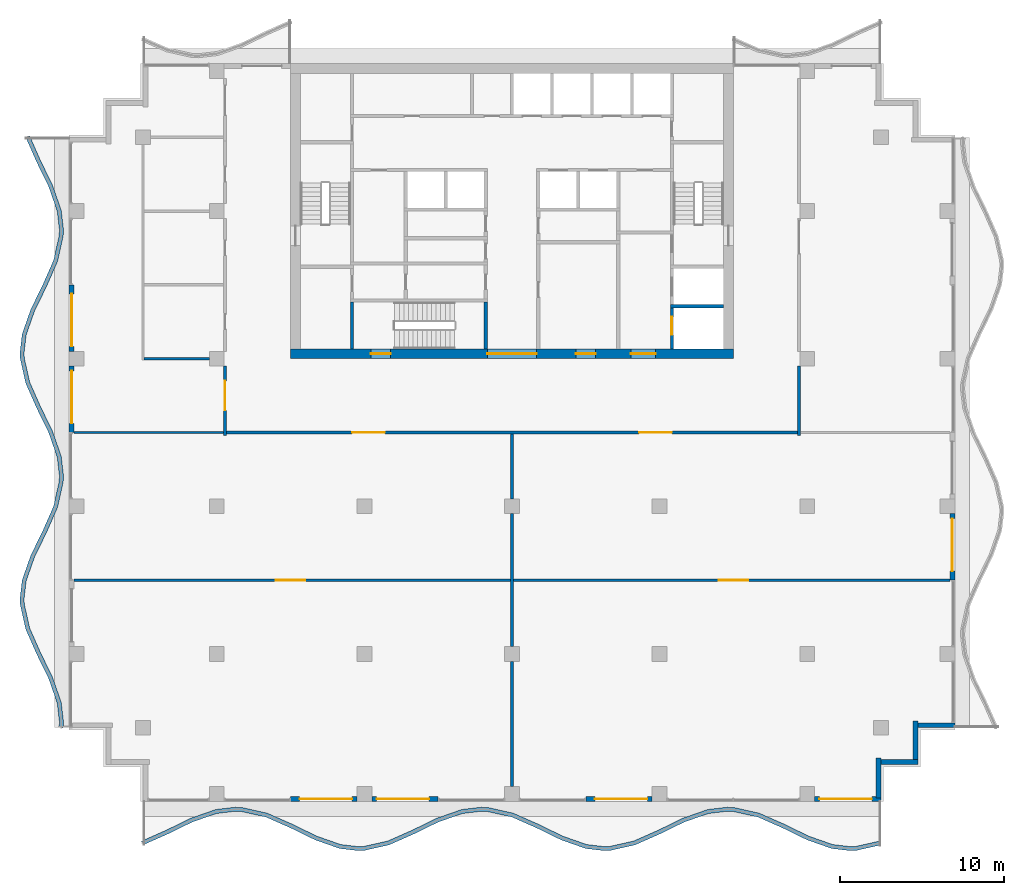
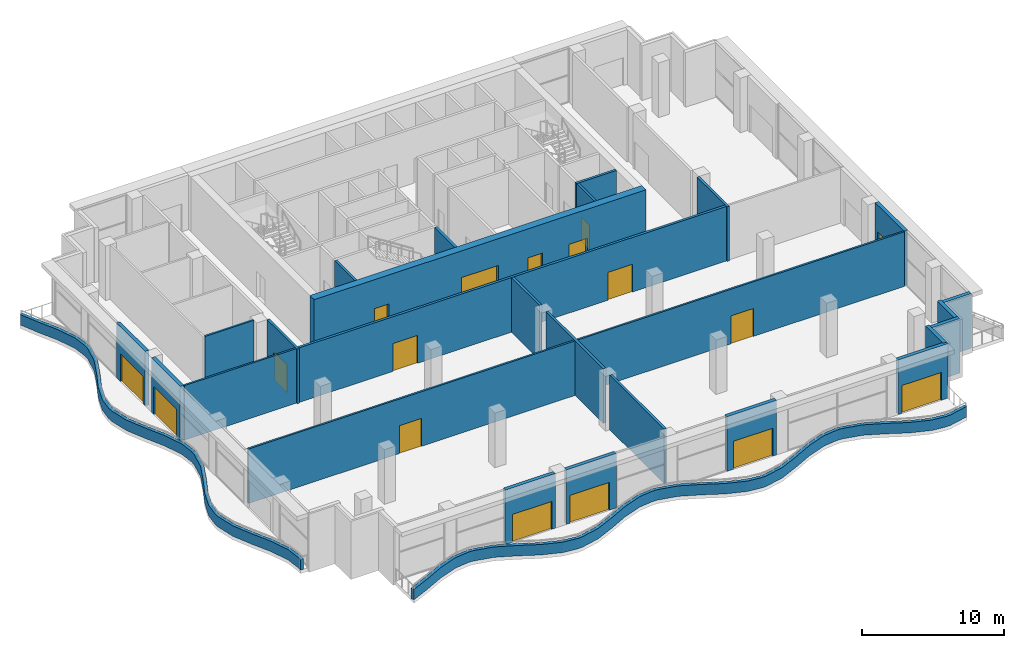
# One storey, part 7 of 14: 28 walls, 17 doors, 17 openings.
"""IFC4 building model written with IfcOpenShell, lengths in metres."""

from ifc_helpers import new_model, si_unit, direction, frame, frame_2d, origin, place, context, subcontext, project, spatial, polyline, rectangle, outline, extrude, material, layer, layer_set, type_object, element, fill, save


model = new_model("IFC4")

# Units and contexts
model_context = context("Model", 3, precision=1e-05, world=origin(), true_north=direction((0.0, 1.0)))
body_context = subcontext(model_context, "Body", "Model", "MODEL_VIEW")
ifc_project = project(units=[si_unit("LENGTHUNIT", "METRE"), si_unit("AREAUNIT", "SQUARE_METRE"), si_unit("VOLUMEUNIT", "CUBIC_METRE"), si_unit("PLANEANGLEUNIT", "RADIAN"), si_unit("MASSUNIT", "GRAM", prefix="KILO")], contexts=[model_context])

# Site, building, storey
site_placement = place(None, origin())
site = spatial("IfcSite", under=ifc_project, at=site_placement, CompositionType="ELEMENT")
building_placement = place(site_placement, origin())
building = spatial("IfcBuilding", under=site, at=building_placement, Name="Orbiselva Terraces", CompositionType="ELEMENT")
storey_placement = place(building_placement, frame((0.0, 0.0, 284.4)))
storey = spatial("IfcBuildingStorey", under=building, at=storey_placement, Name="L72", CompositionType="ELEMENT", Elevation=284.4)

# Wall, openings, doors
ifc_material_1 = material(Name="Concrete C80/95", Category="concrete")
ifc_layer_1 = layer(ifc_material_1, 0.6)
ifc_layer_set_1 = layer_set([ifc_layer_1], Name="Concrete C80/95")
wall_type_1 = type_object("IfcWallType", Name="CORE WALL 600", PredefinedType="SHEAR", material=ifc_layer_set_1)
wall_1_placement = place(storey_placement, frame((-13.5, 4.8, -0.3), z_axis=(0.0, 0.0, 1.0), x_axis=(1.0, 0.0, 0.0)))
wall_1 = element("IfcWall", 1, at=wall_1_placement, inside=storey, type_object=wall_type_1, Name="Core wall L72 south", PredefinedType="SHEAR", context=body_context, shape_type="SweptSolid", body=[
    extrude(rectangle(XDim=27.0, YDim=0.6, at=frame_2d((13.5, 0.0))), origin(), (0.0, 0.0, 1.0), 5.0),
])
opening_1_placement = place(wall_1_placement, frame((12.0, 0.0, 0.3)))
opening_1 = element("IfcOpeningElement", 2, at=opening_1_placement, cuts=wall_1, Name="Opening DL3000", PredefinedType="OPENING", context=body_context, shape_type="SweptSolid", body=[
    extrude(rectangle(XDim=3.0, YDim=2.4, at=frame_2d((1.5, 1.2))), frame((0.0, 0.31, 0.0), z_axis=(0.0, -1.0, 0.0), x_axis=(1.0, 0.0, 0.0)), (0.0, 0.0, 1.0), 0.62),
])
opening_2_placement = place(wall_1_placement, frame((4.9, 0.0, 0.3)))
opening_2 = element("IfcOpeningElement", 3, at=opening_2_placement, cuts=wall_1, Name="Opening DS1200", PredefinedType="OPENING", context=body_context, shape_type="SweptSolid", body=[
    extrude(rectangle(XDim=1.2, YDim=2.2, at=frame_2d((0.6, 1.1))), frame((0.0, 0.31, 0.0), z_axis=(0.0, -1.0, 0.0), x_axis=(1.0, 0.0, 0.0)), (0.0, 0.0, 1.0), 0.62),
])
opening_3_placement = place(wall_1_placement, frame((20.75, 0.0, 0.3)))
opening_3 = element("IfcOpeningElement", 4, at=opening_3_placement, cuts=wall_1, Name="Opening DF1500", PredefinedType="OPENING", context=body_context, shape_type="SweptSolid", body=[
    extrude(rectangle(XDim=1.5, YDim=2.2, at=frame_2d((0.75, 1.1))), frame((0.0, 0.31, 0.0), z_axis=(0.0, -1.0, 0.0), x_axis=(1.0, 0.0, 0.0)), (0.0, 0.0, 1.0), 0.62),
])
opening_4_placement = place(wall_1_placement, frame((17.4, 0.0, 0.3)))
opening_4 = element("IfcOpeningElement", 5, at=opening_4_placement, cuts=wall_1, Name="Opening DV1200", PredefinedType="OPENING", context=body_context, shape_type="SweptSolid", body=[
    extrude(rectangle(XDim=1.2, YDim=2.2, at=frame_2d((0.6, 1.1))), frame((0.0, 0.31, 0.0), z_axis=(0.0, -1.0, 0.0), x_axis=(1.0, 0.0, 0.0)), (0.0, 0.0, 1.0), 0.62),
])
ifc_material_2 = material(Name="Steel fire door", Category="steel")
door_type_1 = type_object("IfcDoorType", Name="FFL DOOR 1500", OperationType="DOUBLE_DOOR_SINGLE_SWING", PredefinedType="DOOR", material=ifc_material_2)
door_1_placement = place(opening_3_placement, frame((1.5, 0.0, 0.0), z_axis=(0.0, 0.0, 1.0), x_axis=(-1.0, 0.0, 0.0)))
door_1 = element("IfcDoor", 6, at=door_1_placement, inside=storey, type_object=door_type_1, Name="L72 FIRE-FIGHTING LOBBY door", OperationType="DOUBLE_DOOR_SINGLE_SWING", OverallHeight=2.2, OverallWidth=1.5, PredefinedType="DOOR", context=body_context, shape_type="SweptSolid", body=[
    extrude(rectangle(XDim=1.5, YDim=2.2, at=frame_2d((0.75, 1.1))), frame((0.0, 0.025, 0.0), z_axis=(0.0, -1.0, 0.0), x_axis=(1.0, 0.0, 0.0)), (0.0, 0.0, 1.0), 0.05),
])
fill(opening_3, door_1)
door_type_2 = type_object("IfcDoorType", Name="LOBBY DOOR 3000", OperationType="DOUBLE_DOOR_SINGLE_SWING", PredefinedType="DOOR", material=ifc_material_2)
door_2_placement = place(opening_1_placement, frame((3.0, 0.0, 0.0), z_axis=(0.0, 0.0, 1.0), x_axis=(-1.0, 0.0, 0.0)))
door_2 = element("IfcDoor", 7, at=door_2_placement, inside=storey, type_object=door_type_2, Name="L72 LIFT LOBBY door", OperationType="DOUBLE_DOOR_SINGLE_SWING", OverallHeight=2.4, OverallWidth=3.0, PredefinedType="DOOR", context=body_context, shape_type="SweptSolid", body=[
    extrude(rectangle(XDim=3.0, YDim=2.4, at=frame_2d((1.5, 1.2))), frame((0.0, 0.025, 0.0), z_axis=(0.0, -1.0, 0.0), x_axis=(1.0, 0.0, 0.0)), (0.0, 0.0, 1.0), 0.05),
])
fill(opening_1, door_2)
door_type_3 = type_object("IfcDoorType", Name="SERVICE DOOR 1200", OperationType="NOTDEFINED", PredefinedType="DOOR", material=ifc_material_2)
door_3_placement = place(opening_4_placement, frame((1.2, 0.0, 0.0), z_axis=(0.0, 0.0, 1.0), x_axis=(-1.0, 0.0, 0.0)))
door_3 = element("IfcDoor", 8, at=door_3_placement, inside=storey, type_object=door_type_3, Name="L72 SERVICE ROOM door", OperationType="SINGLE_SWING_RIGHT", OverallHeight=2.2, OverallWidth=1.2, PredefinedType="DOOR", context=body_context, shape_type="SweptSolid", body=[
    extrude(rectangle(XDim=1.2, YDim=2.2, at=frame_2d((0.6, 1.1))), frame((0.0, 0.025, 0.0), z_axis=(0.0, -1.0, 0.0), x_axis=(1.0, 0.0, 0.0)), (0.0, 0.0, 1.0), 0.05),
])
fill(opening_4, door_3)
door_type_4 = type_object("IfcDoorType", Name="STAIR DOOR 1200", OperationType="NOTDEFINED", PredefinedType="DOOR", material=ifc_material_2)
door_4_placement = place(opening_2_placement, frame((1.2, 0.0, 0.0), z_axis=(0.0, 0.0, 1.0), x_axis=(-1.0, 0.0, 0.0)))
door_4 = element("IfcDoor", 9, at=door_4_placement, inside=storey, type_object=door_type_4, Name="L72 EXIT STAIR S3 door", OperationType="SINGLE_SWING_LEFT", OverallHeight=2.2, OverallWidth=1.2, PredefinedType="DOOR", context=body_context, shape_type="SweptSolid", body=[
    extrude(rectangle(XDim=1.2, YDim=2.2, at=frame_2d((0.6, 1.1))), frame((0.0, 0.025, 0.0), z_axis=(0.0, -1.0, 0.0), x_axis=(1.0, 0.0, 0.0)), (0.0, 0.0, 1.0), 0.05),
])
fill(opening_2, door_4)

# Walls
ifc_material_3 = material(Name="Concrete C60/75", Category="concrete")
ifc_layer_2 = layer(ifc_material_3, 0.2)
ifc_layer_set_2 = layer_set([ifc_layer_2], Name="Concrete C60/75")
wall_type_2 = type_object("IfcWallType", Name="CORE-WALL-SHEAR-200", PredefinedType="SHEAR", material=ifc_layer_set_2)
for number, where, z_axis, x_axis, name in (
    (10, (-9.75, 5.1, 0.0), (0.0, 0.0, 1.0), (0.0, 1.0, 0.0), "L72 core wall 03"),
    (11, (-1.6, 5.1, 0.0), (0.0, 0.0, 1.0), (0.0, 1.0, 0.0), "L72 core wall 21"),
):
    element("IfcWall", number, at=place(storey_placement, frame(where, z_axis=z_axis, x_axis=x_axis)), inside=storey, type_object=wall_type_2, Name=name, PredefinedType="SHEAR", context=body_context, shape_type="SweptSolid", body=[
        extrude(rectangle(XDim=2.85, YDim=0.2, at=frame_2d((1.425, 0.0))), origin(), (0.0, 0.0, 1.0), 4.7),
    ])

# Wall, opening, door
wall_2_placement = place(storey_placement, frame((9.75, 5.1, 0.0), z_axis=(0.0, 0.0, 1.0), x_axis=(0.0, 1.0, 0.0)))
wall_2 = element("IfcWall", 12, at=wall_2_placement, inside=storey, type_object=wall_type_2, Name="L72 core wall 42", PredefinedType="SHEAR", context=body_context, shape_type="SweptSolid", body=[
    extrude(rectangle(XDim=2.5, YDim=0.2, at=frame_2d((1.25, 0.0))), origin(), (0.0, 0.0, 1.0), 4.7),
])
opening_5_placement = place(wall_2_placement, frame((0.85, 0.0, 0.0)))
opening_5 = element("IfcOpeningElement", 13, at=opening_5_placement, cuts=wall_2, Name="Opening LD-FF1", PredefinedType="OPENING", context=body_context, shape_type="SweptSolid", body=[
    extrude(rectangle(XDim=1.1, YDim=2.1, at=frame_2d((0.55, 1.05))), frame((0.0, 0.11, 0.0), z_axis=(0.0, -1.0, 0.0), x_axis=(1.0, 0.0, 0.0)), (0.0, 0.0, 1.0), 0.22),
])
ifc_material_4 = material(Name="Stainless steel landing door", Category="steel")
door_type_5 = type_object("IfcDoorType", Name="LANDING DOOR 1100", OperationType="SLIDING_TO_LEFT", PredefinedType="DOOR", material=ifc_material_4)
door_5_placement = place(opening_5_placement, origin())
door_5 = element("IfcDoor", 14, at=door_5_placement, inside=storey, type_object=door_type_5, Name="L72 landing door FF1", OperationType="SLIDING_TO_RIGHT", OverallHeight=2.1, OverallWidth=1.1, PredefinedType="DOOR", context=body_context, shape_type="SweptSolid", body=[
    extrude(rectangle(XDim=1.1, YDim=2.1, at=frame_2d((0.55, 1.05))), frame((0.0, 0.025, 0.0), z_axis=(0.0, -1.0, 0.0), x_axis=(1.0, 0.0, 0.0)), (0.0, 0.0, 1.0), 0.05),
])
fill(opening_5, door_5)

# Walls
wall_3_placement = place(storey_placement, frame((9.65, 7.7, 0.0), z_axis=(0.0, 0.0, 1.0), x_axis=(1.0, 0.0, 0.0)))
element("IfcWall", 15, at=wall_3_placement, inside=storey, type_object=wall_type_2, Name="L72 core wall 43", PredefinedType="SHEAR", context=body_context, shape_type="SweptSolid", body=[
    extrude(rectangle(XDim=3.25, YDim=0.2, at=frame_2d((1.625, 0.0))), origin(), (0.0, 0.0, 1.0), 4.7),
])
ifc_material_5 = material(Name="Concrete C40/50", Category="concrete")
ifc_layer_3 = layer(ifc_material_5, 0.25)
ifc_layer_set_3 = layer_set([ifc_layer_3], Name="Concrete C40/50")
wall_type_3 = type_object("IfcWallType", Name="ENV-PLANTER-250x900", PredefinedType="USERDEFINED", material=ifc_layer_set_3)
wall_4_placement = place(storey_placement, origin())
element("IfcWall", 16, at=wall_4_placement, inside=storey, type_object=wall_type_3, Name="Balcony planter L72 S", ObjectType="PLANTER", PredefinedType="USERDEFINED", context=body_context, shape_type="SweptSolid", body=[
    extrude(outline(polyline([(-22.5, -25.148528), (-21.0, -24.487721), (-19.5, -23.755211), (-18.0, -23.230792), (-16.875, -23.1), (-16.5, -23.114774), (-15.0, -23.451472), (-13.5, -24.112279), (-12.0, -24.844789), (-10.5, -25.369208), (-9.375, -25.5), (-9.0, -25.485226), (-7.5, -25.148528), (-6.0, -24.487721), (-4.5, -23.755211), (-3.0, -23.230792), (-1.875, -23.1), (-1.5, -23.114774), (0.0, -23.451472), (1.5, -24.112279), (3.0, -24.844789), (4.5, -25.369208), (5.625, -25.5), (6.0, -25.485226), (7.5, -25.148528), (9.0, -24.487721), (10.5, -23.755211), (12.0, -23.230792), (13.125, -23.1), (13.5, -23.114774), (15.0, -23.451472), (16.5, -24.112279), (18.0, -24.844789), (19.5, -25.369208), (20.625, -25.5), (21.0, -25.485226), (22.5, -25.148528), (22.445246, -24.904598), (20.967435, -25.236315), (20.634572, -25.249429), (19.556371, -25.124078), (18.09644, -24.613667), (16.605286, -23.885477), (15.078508, -23.212874), (13.532565, -22.865863), (13.115428, -22.849429), (11.943629, -22.985662), (10.40356, -23.524089), (8.894714, -24.260919), (7.421492, -24.90993), (5.967435, -25.236315), (5.634572, -25.249429), (4.556371, -25.124078), (3.09644, -24.613667), (1.605286, -23.885477), (0.078508, -23.212874), (-1.467435, -22.865863), (-1.884572, -22.849429), (-3.056371, -22.985662), (-4.59644, -23.524089), (-6.105286, -24.260919), (-7.578508, -24.90993), (-9.032565, -25.236315), (-9.365428, -25.249429), (-10.443629, -25.124078), (-11.90356, -24.613667), (-13.394714, -23.885477), (-14.921492, -23.212874), (-16.467435, -22.865863), (-16.884572, -22.849429), (-18.056371, -22.985662), (-19.59644, -23.524089), (-21.105286, -24.260919), (-22.600788, -24.919745), (-22.5, -25.148528)])), origin(), (0.0, 0.0, 1.0), 0.9),
])
wall_5_placement = place(storey_placement, origin())
element("IfcWall", 17, at=wall_5_placement, inside=storey, type_object=wall_type_3, Name="Balcony planter L72 W", ObjectType="PLANTER", PredefinedType="USERDEFINED", context=body_context, shape_type="SweptSolid", body=[
    extrude(outline(polyline([(-29.648528, 18.0), (-28.987721, 16.5), (-28.255211, 15.0), (-27.730792, 13.5), (-27.6, 12.375), (-27.614774, 12.0), (-27.951472, 10.5), (-28.612279, 9.0), (-29.344789, 7.5), (-29.869208, 6.0), (-30.0, 4.875), (-29.985226, 4.5), (-29.648528, 3.0), (-28.987721, 1.5), (-28.255211, 0.0), (-27.730792, -1.5), (-27.6, -2.625), (-27.614774, -3.0), (-27.951472, -4.5), (-28.612279, -6.0), (-29.344789, -7.5), (-29.869208, -9.0), (-30.0, -10.125), (-29.985226, -10.5), (-29.648528, -12.0), (-28.987721, -13.5), (-28.255211, -15.0), (-27.730792, -16.5), (-27.6, -17.625), (-27.614774, -18.0), (-27.364968, -18.009842), (-27.349429, -17.615428), (-27.485662, -16.443629), (-28.024089, -14.90356), (-28.760919, -13.394714), (-29.40993, -11.921492), (-29.736315, -10.467435), (-29.749429, -10.134572), (-29.624078, -9.056371), (-29.113667, -7.59644), (-28.385477, -6.105286), (-27.712874, -4.578508), (-27.365863, -3.032565), (-27.349429, -2.615428), (-27.485662, -1.443629), (-28.024089, 0.09644), (-28.760919, 1.605286), (-29.40993, 3.078508), (-29.736315, 4.532565), (-29.749429, 4.865428), (-29.624078, 5.943629), (-29.113667, 7.40356), (-28.385477, 8.894714), (-27.712874, 10.421492), (-27.365863, 11.967435), (-27.349429, 12.384572), (-27.485662, 13.556371), (-28.024089, 15.09644), (-28.760919, 16.605286), (-29.419745, 18.100788), (-29.648528, 18.0)])), origin(), (0.0, 0.0, 1.0), 0.9),
])

# Wall, opening, door
ifc_material_6 = material(Name="Terracotta cladding on masonry backing", Category="masonry")
ifc_layer_4 = layer(ifc_material_6, 0.3)
ifc_layer_set_4 = layer_set([ifc_layer_4], Name="Terracotta cladding on masonry backing")
wall_type_4 = type_object("IfcWallType", Name="ENV-WALL-TERRACOTTA-300", PredefinedType="SOLIDWALL", material=ifc_layer_set_4)
wall_6_placement = place(storey_placement, frame((-9.45, -22.35, 0.0), z_axis=(0.0, 0.0, 1.0), x_axis=(-1.0, 0.0, 0.0)))
wall_6 = element("IfcWall", 18, at=wall_6_placement, inside=storey, type_object=wall_type_4, Name="Facade wall L72 S", PredefinedType="SOLIDWALL", context=body_context, shape_type="SweptSolid", body=[
    extrude(rectangle(XDim=4.05, YDim=0.3, at=frame_2d((2.025, 0.0))), origin(), (0.0, 0.0, 1.0), 4.7),
])
opening_6_placement = place(wall_6_placement, frame((0.3, 0.0, 0.0)))
opening_6 = element("IfcOpeningElement", 19, at=opening_6_placement, cuts=wall_6, Name="Opening SKY-5-E01", PredefinedType="OPENING", context=body_context, shape_type="SweptSolid", body=[
    extrude(rectangle(XDim=3.2, YDim=2.4, at=frame_2d((1.6, 1.2))), frame((0.0, 0.16, 0.0), z_axis=(0.0, -1.0, 0.0), x_axis=(1.0, 0.0, 0.0)), (0.0, 0.0, 1.0), 0.32),
])
ifc_material_7 = material(Name="Clear low-e glazing in aluminium frame", Category="aluminium")
door_type_6 = type_object("IfcDoorType", Name="BALCONY DOOR 3200 X 2400", OperationType="DOUBLE_DOOR_SLIDING", PredefinedType="DOOR", material=ifc_material_7)
door_6_placement = place(opening_6_placement, origin())
door_6 = element("IfcDoor", 20, at=door_6_placement, inside=storey, type_object=door_type_6, Name="SKY-5-E01", OperationType="SINGLE_SWING_LEFT", OverallHeight=2.4, OverallWidth=3.2, PredefinedType="DOOR", context=body_context, shape_type="SweptSolid", body=[
    extrude(rectangle(XDim=3.2, YDim=2.4, at=frame_2d((1.6, 1.2))), frame((0.0, 0.025, 0.0), z_axis=(0.0, -1.0, 0.0), x_axis=(1.0, 0.0, 0.0)), (0.0, 0.0, 1.0), 0.05),
])
fill(opening_6, door_6)

wall_7_placement = place(storey_placement, frame((-4.5, -22.35, 0.0), z_axis=(0.0, 0.0, 1.0), x_axis=(-1.0, 0.0, 0.0)))
wall_7 = element("IfcWall", 21, at=wall_7_placement, inside=storey, type_object=wall_type_4, Name="Facade wall L72 S", PredefinedType="SOLIDWALL", context=body_context, shape_type="SweptSolid", body=[
    extrude(rectangle(XDim=4.05, YDim=0.3, at=frame_2d((2.025, 0.0))), origin(), (0.0, 0.0, 1.0), 4.7),
])
opening_7_placement = place(wall_7_placement, frame((0.55, 0.0, 0.0)))
opening_7 = element("IfcOpeningElement", 22, at=opening_7_placement, cuts=wall_7, Name="Opening SKY-5-E02", PredefinedType="OPENING", context=body_context, shape_type="SweptSolid", body=[
    extrude(rectangle(XDim=3.2, YDim=2.4, at=frame_2d((1.6, 1.2))), frame((0.0, 0.16, 0.0), z_axis=(0.0, -1.0, 0.0), x_axis=(1.0, 0.0, 0.0)), (0.0, 0.0, 1.0), 0.32),
])
door_7_placement = place(opening_7_placement, origin())
door_7 = element("IfcDoor", 23, at=door_7_placement, inside=storey, type_object=door_type_6, Name="SKY-5-E02", OperationType="SINGLE_SWING_LEFT", OverallHeight=2.4, OverallWidth=3.2, PredefinedType="DOOR", context=body_context, shape_type="SweptSolid", body=[
    extrude(rectangle(XDim=3.2, YDim=2.4, at=frame_2d((1.6, 1.2))), frame((0.0, 0.025, 0.0), z_axis=(0.0, -1.0, 0.0), x_axis=(1.0, 0.0, 0.0)), (0.0, 0.0, 1.0), 0.05),
])
fill(opening_7, door_7)

wall_8_placement = place(storey_placement, frame((8.55, -22.35, 0.0), z_axis=(0.0, 0.0, 1.0), x_axis=(-1.0, 0.0, 0.0)))
wall_8 = element("IfcWall", 24, at=wall_8_placement, inside=storey, type_object=wall_type_4, Name="Facade wall L72 S", PredefinedType="SOLIDWALL", context=body_context, shape_type="SweptSolid", body=[
    extrude(rectangle(XDim=4.05, YDim=0.3, at=frame_2d((2.025, 0.0))), origin(), (0.0, 0.0, 1.0), 4.7),
])
opening_8_placement = place(wall_8_placement, frame((0.3, 0.0, 0.0)))
opening_8 = element("IfcOpeningElement", 25, at=opening_8_placement, cuts=wall_8, Name="Opening SKY-5-E03", PredefinedType="OPENING", context=body_context, shape_type="SweptSolid", body=[
    extrude(rectangle(XDim=3.2, YDim=2.4, at=frame_2d((1.6, 1.2))), frame((0.0, 0.16, 0.0), z_axis=(0.0, -1.0, 0.0), x_axis=(1.0, 0.0, 0.0)), (0.0, 0.0, 1.0), 0.32),
])
door_8_placement = place(opening_8_placement, origin())
door_8 = element("IfcDoor", 26, at=door_8_placement, inside=storey, type_object=door_type_6, Name="SKY-5-E03", OperationType="SINGLE_SWING_LEFT", OverallHeight=2.4, OverallWidth=3.2, PredefinedType="DOOR", context=body_context, shape_type="SweptSolid", body=[
    extrude(rectangle(XDim=3.2, YDim=2.4, at=frame_2d((1.6, 1.2))), frame((0.0, 0.025, 0.0), z_axis=(0.0, -1.0, 0.0), x_axis=(1.0, 0.0, 0.0)), (0.0, 0.0, 1.0), 0.05),
])
fill(opening_8, door_8)

wall_9_placement = place(storey_placement, frame((22.5, -22.35, 0.0), z_axis=(0.0, 0.0, 1.0), x_axis=(-1.0, 0.0, 0.0)))
wall_9 = element("IfcWall", 27, at=wall_9_placement, inside=storey, type_object=wall_type_4, Name="Facade wall L72 S", PredefinedType="SOLIDWALL", context=body_context, shape_type="SweptSolid", body=[
    extrude(rectangle(XDim=4.05, YDim=0.3, at=frame_2d((2.025, 0.0))), origin(), (0.0, 0.0, 1.0), 4.7),
])
opening_9_placement = place(wall_9_placement, frame((0.55, 0.0, 0.0)))
opening_9 = element("IfcOpeningElement", 28, at=opening_9_placement, cuts=wall_9, Name="Opening SKY-5-E04", PredefinedType="OPENING", context=body_context, shape_type="SweptSolid", body=[
    extrude(rectangle(XDim=3.2, YDim=2.4, at=frame_2d((1.6, 1.2))), frame((0.0, 0.16, 0.0), z_axis=(0.0, -1.0, 0.0), x_axis=(1.0, 0.0, 0.0)), (0.0, 0.0, 1.0), 0.32),
])
door_9_placement = place(opening_9_placement, origin())
door_9 = element("IfcDoor", 29, at=door_9_placement, inside=storey, type_object=door_type_6, Name="SKY-5-E04", OperationType="SINGLE_SWING_LEFT", OverallHeight=2.4, OverallWidth=3.2, PredefinedType="DOOR", context=body_context, shape_type="SweptSolid", body=[
    extrude(rectangle(XDim=3.2, YDim=2.4, at=frame_2d((1.6, 1.2))), frame((0.0, 0.025, 0.0), z_axis=(0.0, -1.0, 0.0), x_axis=(1.0, 0.0, 0.0)), (0.0, 0.0, 1.0), 0.05),
])
fill(opening_9, door_9)

# Walls
wall_10_placement = place(storey_placement, frame((22.35, -19.85, 0.0), z_axis=(0.0, 0.0, 1.0), x_axis=(0.0, -1.0, 0.0)))
element("IfcWall", 30, at=wall_10_placement, inside=storey, type_object=wall_type_4, Name="Facade wall L72 STEP", PredefinedType="SOLIDWALL", context=body_context, shape_type="SweptSolid", body=[
    extrude(rectangle(XDim=2.45, YDim=0.3, at=frame_2d((1.225, 0.0))), origin(), (0.0, 0.0, 1.0), 4.7),
])
wall_11_placement = place(storey_placement, frame((24.75, -20.1, 0.0), z_axis=(0.0, 0.0, 1.0), x_axis=(-1.0, 0.0, 0.0)))
element("IfcWall", 31, at=wall_11_placement, inside=storey, type_object=wall_type_4, Name="Facade wall L72 STEP", PredefinedType="SOLIDWALL", context=body_context, shape_type="SweptSolid", body=[
    extrude(rectangle(XDim=2.25, YDim=0.3, at=frame_2d((1.125, 0.0))), origin(), (0.0, 0.0, 1.0), 4.7),
])
wall_12_placement = place(storey_placement, frame((24.6, -17.6, 0.0), z_axis=(0.0, 0.0, 1.0), x_axis=(0.0, -1.0, 0.0)))
element("IfcWall", 32, at=wall_12_placement, inside=storey, type_object=wall_type_4, Name="Facade wall L72 STEP", PredefinedType="SOLIDWALL", context=body_context, shape_type="SweptSolid", body=[
    extrude(rectangle(XDim=2.35, YDim=0.3, at=frame_2d((1.175, 0.0))), origin(), (0.0, 0.0, 1.0), 4.7),
])
wall_13_placement = place(storey_placement, frame((27.0, -17.85, 0.0), z_axis=(0.0, 0.0, 1.0), x_axis=(-1.0, 0.0, 0.0)))
element("IfcWall", 33, at=wall_13_placement, inside=storey, type_object=wall_type_4, Name="Facade wall L72 STEP", PredefinedType="SOLIDWALL", context=body_context, shape_type="SweptSolid", body=[
    extrude(rectangle(XDim=2.25, YDim=0.3, at=frame_2d((1.125, 0.0))), origin(), (0.0, 0.0, 1.0), 4.7),
])

# Wall, opening, door
wall_14_placement = place(storey_placement, frame((26.85, -4.95, 0.0), z_axis=(0.0, 0.0, 1.0), x_axis=(0.0, -1.0, 0.0)))
wall_14 = element("IfcWall", 34, at=wall_14_placement, inside=storey, type_object=wall_type_4, Name="Facade wall L72 E", PredefinedType="SOLIDWALL", context=body_context, shape_type="SweptSolid", body=[
    extrude(rectangle(XDim=4.05, YDim=0.3, at=frame_2d((2.025, 0.0))), origin(), (0.0, 0.0, 1.0), 4.7),
])
opening_10_placement = place(wall_14_placement, frame((0.3, 0.0, 0.0)))
opening_10 = element("IfcOpeningElement", 35, at=opening_10_placement, cuts=wall_14, Name="Opening SKY-5-E05", PredefinedType="OPENING", context=body_context, shape_type="SweptSolid", body=[
    extrude(rectangle(XDim=3.2, YDim=2.4, at=frame_2d((1.6, 1.2))), frame((0.0, 0.16, 0.0), z_axis=(0.0, -1.0, 0.0), x_axis=(1.0, 0.0, 0.0)), (0.0, 0.0, 1.0), 0.32),
])
door_10_placement = place(opening_10_placement, origin())
door_10 = element("IfcDoor", 36, at=door_10_placement, inside=storey, type_object=door_type_6, Name="SKY-5-E05", OperationType="SINGLE_SWING_LEFT", OverallHeight=2.4, OverallWidth=3.2, PredefinedType="DOOR", context=body_context, shape_type="SweptSolid", body=[
    extrude(rectangle(XDim=3.2, YDim=2.4, at=frame_2d((1.6, 1.2))), frame((0.0, 0.025, 0.0), z_axis=(0.0, -1.0, 0.0), x_axis=(1.0, 0.0, 0.0)), (0.0, 0.0, 1.0), 0.05),
])
fill(opening_10, door_10)

wall_15_placement = place(storey_placement, frame((-26.85, 4.95, 0.0), z_axis=(0.0, 0.0, 1.0), x_axis=(0.0, 1.0, 0.0)))
wall_15 = element("IfcWall", 37, at=wall_15_placement, inside=storey, type_object=wall_type_4, Name="Facade wall L72 W", PredefinedType="SOLIDWALL", context=body_context, shape_type="SweptSolid", body=[
    extrude(rectangle(XDim=4.05, YDim=0.3, at=frame_2d((2.025, 0.0))), origin(), (0.0, 0.0, 1.0), 4.7),
])
opening_11_placement = place(wall_15_placement, frame((0.3, 0.0, 0.0)))
opening_11 = element("IfcOpeningElement", 38, at=opening_11_placement, cuts=wall_15, Name="Opening SKY-5-E10", PredefinedType="OPENING", context=body_context, shape_type="SweptSolid", body=[
    extrude(rectangle(XDim=3.2, YDim=2.4, at=frame_2d((1.6, 1.2))), frame((0.0, 0.16, 0.0), z_axis=(0.0, -1.0, 0.0), x_axis=(1.0, 0.0, 0.0)), (0.0, 0.0, 1.0), 0.32),
])
door_11_placement = place(opening_11_placement, origin())
door_11 = element("IfcDoor", 39, at=door_11_placement, inside=storey, type_object=door_type_6, Name="SKY-5-E10", OperationType="SINGLE_SWING_LEFT", OverallHeight=2.4, OverallWidth=3.2, PredefinedType="DOOR", context=body_context, shape_type="SweptSolid", body=[
    extrude(rectangle(XDim=3.2, YDim=2.4, at=frame_2d((1.6, 1.2))), frame((0.0, 0.025, 0.0), z_axis=(0.0, -1.0, 0.0), x_axis=(1.0, 0.0, 0.0)), (0.0, 0.0, 1.0), 0.05),
])
fill(opening_11, door_11)

wall_16_placement = place(storey_placement, frame((-26.85, 0.0, 0.0), z_axis=(0.0, 0.0, 1.0), x_axis=(0.0, 1.0, 0.0)))
wall_16 = element("IfcWall", 40, at=wall_16_placement, inside=storey, type_object=wall_type_4, Name="Facade wall L72 W", PredefinedType="SOLIDWALL", context=body_context, shape_type="SweptSolid", body=[
    extrude(rectangle(XDim=4.05, YDim=0.3, at=frame_2d((2.025, 0.0))), origin(), (0.0, 0.0, 1.0), 4.7),
])
opening_12_placement = place(wall_16_placement, frame((0.55, 0.0, 0.0)))
opening_12 = element("IfcOpeningElement", 41, at=opening_12_placement, cuts=wall_16, Name="Opening SKY-5-E11", PredefinedType="OPENING", context=body_context, shape_type="SweptSolid", body=[
    extrude(rectangle(XDim=3.2, YDim=2.4, at=frame_2d((1.6, 1.2))), frame((0.0, 0.16, 0.0), z_axis=(0.0, -1.0, 0.0), x_axis=(1.0, 0.0, 0.0)), (0.0, 0.0, 1.0), 0.32),
])
door_12_placement = place(opening_12_placement, origin())
door_12 = element("IfcDoor", 42, at=door_12_placement, inside=storey, type_object=door_type_6, Name="SKY-5-E11", OperationType="SINGLE_SWING_LEFT", OverallHeight=2.4, OverallWidth=3.2, PredefinedType="DOOR", context=body_context, shape_type="SweptSolid", body=[
    extrude(rectangle(XDim=3.2, YDim=2.4, at=frame_2d((1.6, 1.2))), frame((0.0, 0.025, 0.0), z_axis=(0.0, -1.0, 0.0), x_axis=(1.0, 0.0, 0.0)), (0.0, 0.0, 1.0), 0.05),
])
fill(opening_12, door_12)

# Wall, openings, doors
ifc_material_8 = material(Name="Plasterboard on steel stud partition", Category="steel")
ifc_layer_5 = layer(ifc_material_8, 0.2)
ifc_layer_set_5 = layer_set([ifc_layer_5], Name="Plasterboard on steel stud partition")
wall_type_5 = type_object("IfcWallType", Name="UNIT-ENTRANCE-WALL-200", PredefinedType="PARTITIONING", material=ifc_layer_set_5)
wall_17_placement = place(storey_placement, frame((-17.4, 0.0, 0.0), z_axis=(0.0, 0.0, 1.0), x_axis=(1.0, 0.0, 0.0)))
wall_17 = element("IfcWall", 43, at=wall_17_placement, inside=storey, type_object=wall_type_5, Name="PARTITION L72-003", PredefinedType="PARTITIONING", context=body_context, shape_type="SweptSolid", body=[
    extrude(rectangle(XDim=34.8, YDim=0.2, at=frame_2d((17.4, 0.0))), origin(), (0.0, 0.0, 1.0), 4.7),
])
opening_13_placement = place(wall_17_placement, frame((7.65, 0.0, 0.0)))
opening_13 = element("IfcOpeningElement", 44, at=opening_13_placement, cuts=wall_17, Name="Opening SKY-5-02", PredefinedType="OPENING", context=body_context, shape_type="SweptSolid", body=[
    extrude(rectangle(XDim=2.0, YDim=2.4, at=frame_2d((1.0, 1.2))), frame((0.0, 0.11, 0.0), z_axis=(0.0, -1.0, 0.0), x_axis=(1.0, 0.0, 0.0)), (0.0, 0.0, 1.0), 0.22),
])
opening_14_placement = place(wall_17_placement, frame((25.15, 0.0, 0.0)))
opening_14 = element("IfcOpeningElement", 45, at=opening_14_placement, cuts=wall_17, Name="Opening SKY-5-03", PredefinedType="OPENING", context=body_context, shape_type="SweptSolid", body=[
    extrude(rectangle(XDim=2.0, YDim=2.4, at=frame_2d((1.0, 1.2))), frame((0.0, 0.11, 0.0), z_axis=(0.0, -1.0, 0.0), x_axis=(1.0, 0.0, 0.0)), (0.0, 0.0, 1.0), 0.22),
])
ifc_material_9 = material(Name="Painted timber door leaf", Category="wood")
door_type_7 = type_object("IfcDoorType", Name="AMENITY DOUBLE DOOR 2000", OperationType="NOTDEFINED", PredefinedType="DOOR", material=ifc_material_9)
door_13_placement = place(opening_13_placement, origin())
door_13 = element("IfcDoor", 46, at=door_13_placement, inside=storey, type_object=door_type_7, Name="SKY-5-02", OperationType="DOUBLE_DOOR_SINGLE_SWING", OverallHeight=2.4, OverallWidth=2.0, PredefinedType="DOOR", context=body_context, shape_type="SweptSolid", body=[
    extrude(rectangle(XDim=2.0, YDim=2.4, at=frame_2d((1.0, 1.2))), frame((0.0, 0.025, 0.0), z_axis=(0.0, -1.0, 0.0), x_axis=(1.0, 0.0, 0.0)), (0.0, 0.0, 1.0), 0.05),
])
fill(opening_13, door_13)
door_14_placement = place(opening_14_placement, origin())
door_14 = element("IfcDoor", 47, at=door_14_placement, inside=storey, type_object=door_type_7, Name="SKY-5-03", OperationType="DOUBLE_DOOR_SINGLE_SWING", OverallHeight=2.4, OverallWidth=2.0, PredefinedType="DOOR", context=body_context, shape_type="SweptSolid", body=[
    extrude(rectangle(XDim=2.0, YDim=2.4, at=frame_2d((1.0, 1.2))), frame((0.0, 0.025, 0.0), z_axis=(0.0, -1.0, 0.0), x_axis=(1.0, 0.0, 0.0)), (0.0, 0.0, 1.0), 0.05),
])
fill(opening_14, door_14)

# Wall, opening, door
wall_18_placement = place(storey_placement, frame((-17.5, 4.05, 0.0), z_axis=(0.0, 0.0, 1.0), x_axis=(0.0, -1.0, 0.0)))
wall_18 = element("IfcWall", 48, at=wall_18_placement, inside=storey, type_object=wall_type_5, Name="PARTITION L72-011", PredefinedType="PARTITIONING", context=body_context, shape_type="SweptSolid", body=[
    extrude(rectangle(XDim=4.225, YDim=0.2, at=frame_2d((2.1125, 0.0))), origin(), (0.0, 0.0, 1.0), 4.7),
])
opening_15_placement = place(wall_18_placement, frame((0.9, 0.0, 0.0)))
opening_15 = element("IfcOpeningElement", 49, at=opening_15_placement, cuts=wall_18, Name="Opening SKY-5-01", PredefinedType="OPENING", context=body_context, shape_type="SweptSolid", body=[
    extrude(rectangle(XDim=1.8, YDim=2.4, at=frame_2d((0.9, 1.2))), frame((0.0, 0.11, 0.0), z_axis=(0.0, -1.0, 0.0), x_axis=(1.0, 0.0, 0.0)), (0.0, 0.0, 1.0), 0.22),
])
door_type_8 = type_object("IfcDoorType", Name="DOUBLE DOOR 1800", OperationType="NOTDEFINED", PredefinedType="DOOR", material=ifc_material_9)
door_15_placement = place(opening_15_placement, origin())
door_15 = element("IfcDoor", 50, at=door_15_placement, inside=storey, type_object=door_type_8, Name="SKY-5-01", OperationType="DOUBLE_DOOR_SINGLE_SWING", OverallHeight=2.4, OverallWidth=1.8, PredefinedType="DOOR", context=body_context, shape_type="SweptSolid", body=[
    extrude(rectangle(XDim=1.8, YDim=2.4, at=frame_2d((0.9, 1.2))), frame((0.0, 0.025, 0.0), z_axis=(0.0, -1.0, 0.0), x_axis=(1.0, 0.0, 0.0)), (0.0, 0.0, 1.0), 0.05),
])
fill(opening_15, door_15)

# Walls
wall_19_placement = place(storey_placement, frame((17.5, -0.175, 0.0), z_axis=(0.0, 0.0, 1.0), x_axis=(0.0, 1.0, 0.0)))
element("IfcWall", 51, at=wall_19_placement, inside=storey, type_object=wall_type_5, Name="PARTITION L72-018", PredefinedType="PARTITIONING", context=body_context, shape_type="SweptSolid", body=[
    extrude(rectangle(XDim=4.225, YDim=0.2, at=frame_2d((2.1125, 0.0))), origin(), (0.0, 0.0, 1.0), 4.7),
])
ifc_layer_6 = layer(ifc_material_8, 0.15)
ifc_layer_set_6 = layer_set([ifc_layer_6], Name="Plasterboard on steel stud partition")
wall_type_6 = type_object("IfcWallType", Name="UNIT-PARTITION-150", PredefinedType="PARTITIONING", material=ifc_layer_set_6)
wall_20_placement = place(storey_placement, frame((-26.7, 0.0, 0.0), z_axis=(0.0, 0.0, 1.0), x_axis=(1.0, 0.0, 0.0)))
element("IfcWall", 52, at=wall_20_placement, inside=storey, type_object=wall_type_6, Name="PARTITION L72-004", PredefinedType="PARTITIONING", context=body_context, shape_type="SweptSolid", body=[
    extrude(rectangle(XDim=9.1, YDim=0.15, at=frame_2d((4.55, 0.0))), origin(), (0.0, 0.0, 1.0), 4.7),
])
wall_21_placement = place(storey_placement, frame((-22.425, 4.5, 0.0), z_axis=(0.0, 0.0, 1.0), x_axis=(1.0, 0.0, 0.0)))
element("IfcWall", 53, at=wall_21_placement, inside=storey, type_object=wall_type_6, Name="PARTITION L72-006", PredefinedType="PARTITIONING", context=body_context, shape_type="SweptSolid", body=[
    extrude(rectangle(XDim=3.975, YDim=0.15, at=frame_2d((1.9875, 0.0))), origin(), (0.0, 0.0, 1.0), 4.7),
])

# Wall, opening, door
ifc_layer_7 = layer(ifc_material_8, 0.15)
ifc_layer_set_7 = layer_set([ifc_layer_7], Name="Plasterboard on steel stud partition")
wall_type_7 = type_object("IfcWallType", Name="UNIT-PARTITION-FR-150", PredefinedType="PARTITIONING", material=ifc_layer_set_7)
wall_22_placement = place(storey_placement, frame((-26.7, -9.0, 0.0), z_axis=(0.0, 0.0, 1.0), x_axis=(1.0, 0.0, 0.0)))
wall_22 = element("IfcWall", 54, at=wall_22_placement, inside=storey, type_object=wall_type_7, Name="PARTITION L72-001", PredefinedType="PARTITIONING", context=body_context, shape_type="SweptSolid", body=[
    extrude(rectangle(XDim=26.6, YDim=0.15, at=frame_2d((13.3, 0.0))), origin(), (0.0, 0.0, 1.0), 4.7),
])
opening_16_placement = place(wall_22_placement, frame((12.3, 0.0, 0.0)))
opening_16 = element("IfcOpeningElement", 55, at=opening_16_placement, cuts=wall_22, Name="Opening SKY-5-09", PredefinedType="OPENING", context=body_context, shape_type="SweptSolid", body=[
    extrude(rectangle(XDim=1.8, YDim=2.4, at=frame_2d((0.9, 1.2))), frame((0.0, 0.085, 0.0), z_axis=(0.0, -1.0, 0.0), x_axis=(1.0, 0.0, 0.0)), (0.0, 0.0, 1.0), 0.17),
])
door_16_placement = place(opening_16_placement, origin())
door_16 = element("IfcDoor", 56, at=door_16_placement, inside=storey, type_object=door_type_8, Name="SKY-5-09", OperationType="DOUBLE_DOOR_SINGLE_SWING", OverallHeight=2.4, OverallWidth=1.8, PredefinedType="DOOR", context=body_context, shape_type="SweptSolid", body=[
    extrude(rectangle(XDim=1.8, YDim=2.4, at=frame_2d((0.9, 1.2))), frame((0.0, 0.025, 0.0), z_axis=(0.0, -1.0, 0.0), x_axis=(1.0, 0.0, 0.0)), (0.0, 0.0, 1.0), 0.05),
])
fill(opening_16, door_16)

wall_23_placement = place(storey_placement, frame((0.1, -9.0, 0.0), z_axis=(0.0, 0.0, 1.0), x_axis=(1.0, 0.0, 0.0)))
wall_23 = element("IfcWall", 57, at=wall_23_placement, inside=storey, type_object=wall_type_7, Name="PARTITION L72-002", PredefinedType="PARTITIONING", context=body_context, shape_type="SweptSolid", body=[
    extrude(rectangle(XDim=26.6, YDim=0.15, at=frame_2d((13.3, 0.0))), origin(), (0.0, 0.0, 1.0), 4.7),
])
opening_17_placement = place(wall_23_placement, frame((12.5, 0.0, 0.0)))
opening_17 = element("IfcOpeningElement", 58, at=opening_17_placement, cuts=wall_23, Name="Opening SKY-5-10", PredefinedType="OPENING", context=body_context, shape_type="SweptSolid", body=[
    extrude(rectangle(XDim=1.8, YDim=2.4, at=frame_2d((0.9, 1.2))), frame((0.0, 0.085, 0.0), z_axis=(0.0, -1.0, 0.0), x_axis=(1.0, 0.0, 0.0)), (0.0, 0.0, 1.0), 0.17),
])
door_17_placement = place(opening_17_placement, origin())
door_17 = element("IfcDoor", 59, at=door_17_placement, inside=storey, type_object=door_type_8, Name="SKY-5-10", OperationType="DOUBLE_DOOR_SINGLE_SWING", OverallHeight=2.4, OverallWidth=1.8, PredefinedType="DOOR", context=body_context, shape_type="SweptSolid", body=[
    extrude(rectangle(XDim=1.8, YDim=2.4, at=frame_2d((0.9, 1.2))), frame((0.0, 0.025, 0.0), z_axis=(0.0, -1.0, 0.0), x_axis=(1.0, 0.0, 0.0)), (0.0, 0.0, 1.0), 0.05),
])
fill(opening_17, door_17)

# Walls
ifc_layer_8 = layer(ifc_material_8, 0.2)
ifc_layer_set_8 = layer_set([ifc_layer_8], Name="Plasterboard on steel stud partition")
wall_type_8 = type_object("IfcWallType", Name="UNIT-PARTY-WALL-200", PredefinedType="PARTITIONING", material=ifc_layer_set_8)
wall_24_placement = place(storey_placement, frame((0.0, -21.6, 0.0), z_axis=(0.0, 0.0, 1.0), x_axis=(0.0, 1.0, 0.0)))
element("IfcWall", 60, at=wall_24_placement, inside=storey, type_object=wall_type_8, Name="PARTITION L72-015", PredefinedType="PARTITIONING", context=body_context, shape_type="SweptSolid", body=[
    extrude(rectangle(XDim=7.65, YDim=0.2, at=frame_2d((3.825, 0.0))), origin(), (0.0, 0.0, 1.0), 4.7),
])
wall_25_placement = place(storey_placement, frame((0.0, -13.05, 0.0), z_axis=(0.0, 0.0, 1.0), x_axis=(0.0, 1.0, 0.0)))
element("IfcWall", 61, at=wall_25_placement, inside=storey, type_object=wall_type_8, Name="PARTITION L72-016", PredefinedType="PARTITIONING", context=body_context, shape_type="SweptSolid", body=[
    extrude(rectangle(XDim=8.1, YDim=0.2, at=frame_2d((4.05, 0.0))), origin(), (0.0, 0.0, 1.0), 4.7),
])
wall_26_placement = place(storey_placement, frame((0.0, -4.05, 0.0), z_axis=(0.0, 0.0, 1.0), x_axis=(0.0, 1.0, 0.0)))
element("IfcWall", 62, at=wall_26_placement, inside=storey, type_object=wall_type_8, Name="PARTITION L72-017", PredefinedType="PARTITIONING", context=body_context, shape_type="SweptSolid", body=[
    extrude(rectangle(XDim=3.95, YDim=0.2, at=frame_2d((1.975, 0.0))), origin(), (0.0, 0.0, 1.0), 4.7),
])

save(model, "model.ifc")
